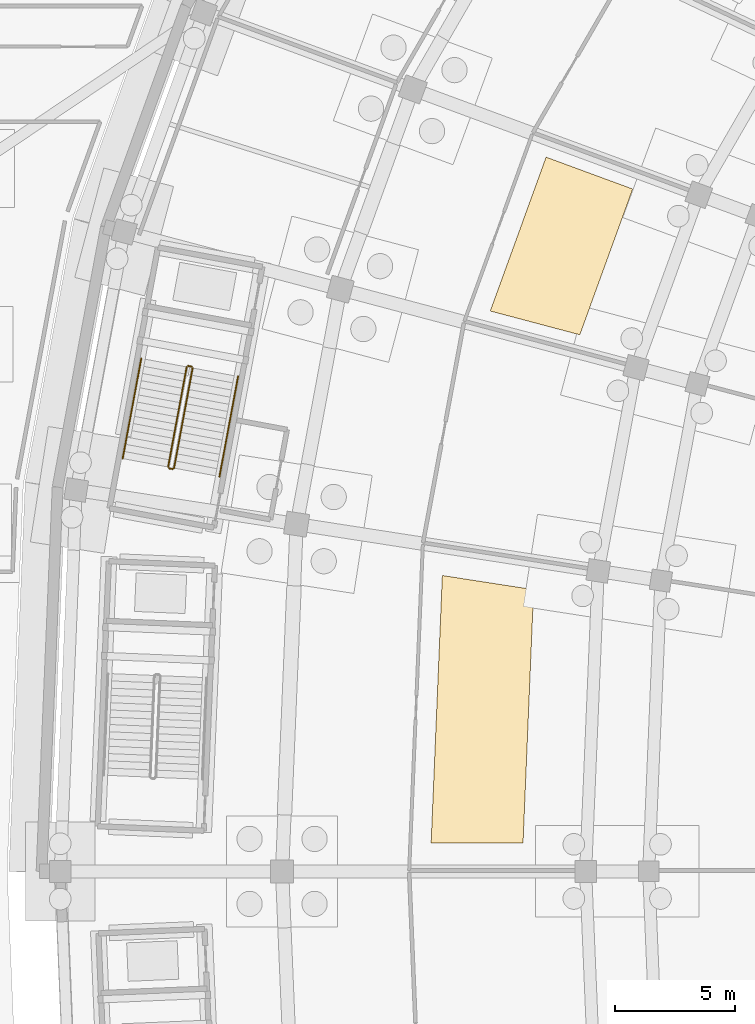
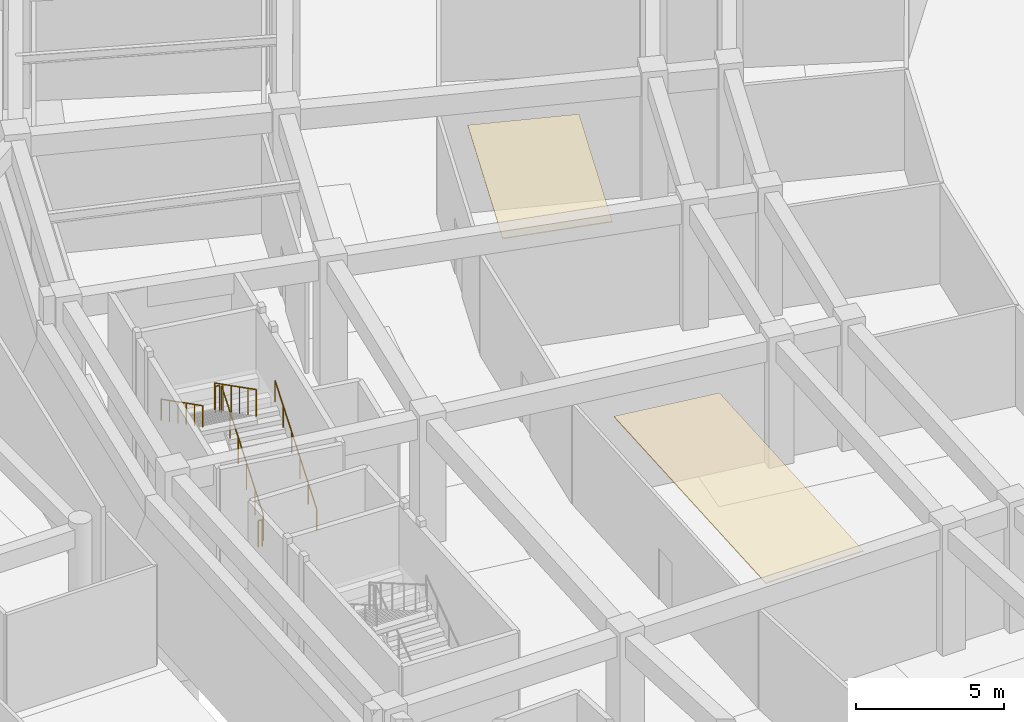
# One storey, part 75 of 88: 6 railings, 2 coverings.
"""IFC4 building model written with IfcOpenShell, lengths in metres."""

from ifc_helpers import new_model, si_unit, direction, frame, origin, origin_2d, place, context, subcontext, project, spatial, polyline, circle, outline, extrude, material, layer, layer_set, type_object, element, save


model = new_model("IFC4")

# Units and contexts
model_context = context("Model", 3, precision=1e-05, world=origin(), true_north=direction((0.0, 1.0)))
body_context = subcontext(model_context, "Body", "Model", "MODEL_VIEW")
ifc_project = project(units=[si_unit("LENGTHUNIT", "METRE"), si_unit("AREAUNIT", "SQUARE_METRE"), si_unit("VOLUMEUNIT", "CUBIC_METRE"), si_unit("PLANEANGLEUNIT", "RADIAN"), si_unit("MASSUNIT", "GRAM", prefix="KILO")], contexts=[model_context])

# Site, building, storey
site_placement = place(None, origin())
site = spatial("IfcSite", under=ifc_project, at=site_placement, CompositionType="ELEMENT")
building_placement = place(site_placement, origin())
building = spatial("IfcBuilding", under=site, at=building_placement, Name="Mphavela Belvedere Stadium", CompositionType="ELEMENT")
storey_placement = place(building_placement, origin())
storey = spatial("IfcBuildingStorey", under=building, at=storey_placement, Name="L00", CompositionType="ELEMENT", Elevation=0.0)

# Coverings
ifc_material_1 = material(Name="Perforated acoustic mineral ceiling tile")
ifc_layer = layer(ifc_material_1, 0.0400390625)
ifc_layer_set = layer_set([ifc_layer], Name="Perforated acoustic mineral ceiling tile")
covering_type = type_object("IfcCoveringType", Name="COV-CEILING-ACOUSTIC", PredefinedType="CEILING", material=ifc_layer_set)
covering_1_placement = place(storey_placement, frame((0.0, 0.0, 4.10009765625)))
element("IfcCovering", 1, at=covering_1_placement, inside=storey, type_object=covering_type, Name="Concourse acoustic ceiling L00-22", PredefinedType="CEILING", context=body_context, shape_type="SweptSolid", body=[
    extrude(outline(polyline([(35.958984375, 115.344970703125), (33.762939453125, 109.291748046875), (30.043701171875, 110.278076171875), (32.362548828125, 116.669921875), (35.958984375, 115.344970703125)])), origin(), (0.0, 0.0, 1.0), 0.039794921875),
])
covering_2_placement = place(storey_placement, frame((0.0, 0.0, 4.10009765625)))
element("IfcCovering", 2, at=covering_2_placement, inside=storey, type_object=covering_type, Name="Concourse acoustic ceiling L00-24", PredefinedType="CEILING", context=body_context, shape_type="SweptSolid", body=[
    extrude(outline(polyline([(31.845703125, 98.70361328125), (31.40478515625, 88.1865234375), (27.5869140625, 88.1865234375), (28.052490234375, 99.291748046875), (31.845703125, 98.70361328125)])), origin(), (0.0, 0.0, 1.0), 0.039794921875),
])

# Railings
ifc_material_2 = material(Name="Painted galvanised steel stair guardrail", Category="steel")
railing_type_1 = type_object("IfcRailingType", Name="RAL-GUARD-1120", PredefinedType="GUARDRAIL", material=ifc_material_2)
railing_1_placement = place(storey_placement, frame((16.907958984375, 103.75390625, 0.179931640625)))
element("IfcRailing", 3, at=railing_1_placement, inside=storey, type_object=railing_type_1, Name="L00 ST-C06 stair guard 1", PredefinedType="GUARDRAIL", context=body_context, shape_type="SweptSolid", body=[
    extrude(circle(Radius=0.02392578125, at=origin_2d()), frame((0.0, 0.0, 1.09619140625), z_axis=(0.156845044367, 0.84454260765, 0.512003335849), x_axis=(-0.983188439882, 0.182593788729, 0.0)), (0.0, 0.0, 1.0), 4.921875),
    extrude(circle(Radius=0.02099609375, at=origin_2d()), origin(), (0.0, 0.0, 1.0), 1.072021484375),
    extrude(circle(Radius=0.02099609375, at=origin_2d()), frame((0.154296875, 0.831298828125, 0.50390625)), (0.0, 0.0, 1.0), 1.072021484375),
    extrude(circle(Radius=0.02099609375, at=origin_2d()), frame((0.308837890625, 1.66259765625, 1.008056640625)), (0.0, 0.0, 1.0), 1.072021484375),
    extrude(circle(Radius=0.02099609375, at=origin_2d()), frame((0.463134765625, 2.494140625, 1.511962890625)), (0.0, 0.0, 1.0), 1.072021484375),
    extrude(circle(Radius=0.02099609375, at=origin_2d()), frame((0.61767578125, 3.325439453125, 2.01611328125)), (0.0, 0.0, 1.0), 1.072021484375),
    extrude(circle(Radius=0.02099609375, at=origin_2d()), frame((0.77197265625, 4.15673828125, 2.52001953125)), (0.0, 0.0, 1.0), 1.072021484375),
])
railing_2_placement = place(storey_placement, frame((17.639892578125, 107.968994140625, 2.699951171875)))
element("IfcRailing", 4, at=railing_2_placement, inside=storey, type_object=railing_type_1, Name="L00 ST-C06 stair guard 2", PredefinedType="GUARDRAIL", context=body_context, shape_type="SweptSolid", body=[
    extrude(circle(Radius=0.02392578125, at=origin_2d()), frame((0.0, 0.0, 1.09619140625), z_axis=(-0.983238797529, 0.182322426032, 0.0), x_axis=(-0.182322426032, -0.983238797529, 0.0)), (0.0, 0.0, 1.0), 0.14990234375),
    extrude(circle(Radius=0.02099609375, at=origin_2d()), origin(), (0.0, 0.0, 1.0), 1.072021484375),
    extrude(circle(Radius=0.02099609375, at=origin_2d()), frame((-0.1474609375, 0.02734375, 0.0)), (0.0, 0.0, 1.0), 1.072021484375),
])
railing_3_placement = place(storey_placement, frame((17.43408203125, 107.956298828125, 2.8798828125)))
element("IfcRailing", 5, at=railing_3_placement, inside=storey, type_object=railing_type_1, Name="L00 ST-C06 stair guard 3", PredefinedType="GUARDRAIL", context=body_context, shape_type="SweptSolid", body=[
    extrude(circle(Radius=0.02392578125, at=origin_2d()), frame((0.0, 0.0, 1.09619140625), z_axis=(-0.156845044367, -0.84454260765, 0.512003335849), x_axis=(0.983188439882, -0.182593788729, 0.0)), (0.0, 0.0, 1.0), 4.921875),
    extrude(circle(Radius=0.02099609375, at=origin_2d()), origin(), (0.0, 0.0, 1.0), 1.072021484375),
    extrude(circle(Radius=0.02099609375, at=origin_2d()), frame((-0.154296875, -0.831298828125, 0.50390625)), (0.0, 0.0, 1.0), 1.072021484375),
    extrude(circle(Radius=0.02099609375, at=origin_2d()), frame((-0.308837890625, -1.66259765625, 1.008056640625)), (0.0, 0.0, 1.0), 1.072021484375),
    extrude(circle(Radius=0.02099609375, at=origin_2d()), frame((-0.463134765625, -2.494140625, 1.511962890625)), (0.0, 0.0, 1.0), 1.072021484375),
    extrude(circle(Radius=0.02099609375, at=origin_2d()), frame((-0.61767578125, -3.325439453125, 2.01611328125)), (0.0, 0.0, 1.0), 1.072021484375),
    extrude(circle(Radius=0.02099609375, at=origin_2d()), frame((-0.77197265625, -4.15673828125, 2.52001953125)), (0.0, 0.0, 1.0), 1.072021484375),
])
railing_4_placement = place(storey_placement, frame((16.849609375, 103.7138671875, 0.0)))
element("IfcRailing", 6, at=railing_4_placement, inside=storey, type_object=railing_type_1, Name="L00 ST-C06 stair guard 4", PredefinedType="GUARDRAIL", context=body_context, shape_type="SweptSolid", body=[
    extrude(circle(Radius=0.02392578125, at=origin_2d()), frame((0.0, 0.0, 1.09619140625), z_axis=(-0.983238797529, 0.182322426032, 0.0), x_axis=(-0.182322426032, -0.983238797529, 0.0)), (0.0, 0.0, 1.0), 0.14990234375),
    extrude(circle(Radius=0.02099609375, at=origin_2d()), origin(), (0.0, 0.0, 1.0), 1.072021484375),
    extrude(circle(Radius=0.02099609375, at=origin_2d()), frame((-0.1474609375, 0.02734375, 0.0)), (0.0, 0.0, 1.0), 1.072021484375),
])
ifc_material_3 = material(Name="Brushed stainless steel tubular handrail", Category="steel")
railing_type_2 = type_object("IfcRailingType", Name="RAL-HANDRAIL-900", PredefinedType="HANDRAIL", material=ifc_material_3)
railing_5_placement = place(storey_placement, frame((18.795654296875, 103.4033203125, 0.179931640625)))
element("IfcRailing", 7, at=railing_5_placement, inside=storey, type_object=railing_type_2, Name="L00 ST-C06 stair handrail 1", PredefinedType="HANDRAIL", context=body_context, shape_type="SweptSolid", body=[
    extrude(circle(Radius=0.02392578125, at=origin_2d()), frame((0.0, 0.0, 0.8759765625), z_axis=(0.156838474043, 0.844556830339, 0.511981887753), x_axis=(-0.983190365008, 0.182583422456, 0.0)), (0.0, 0.0, 1.0), 4.922119140625),
    extrude(circle(Radius=0.02099609375, at=origin_2d()), origin(), (0.0, 0.0, 1.0), 0.851806640625),
    extrude(circle(Radius=0.02099609375, at=origin_2d()), frame((0.154296875, 0.831298828125, 0.50390625)), (0.0, 0.0, 1.0), 0.851806640625),
    extrude(circle(Radius=0.02099609375, at=origin_2d()), frame((0.308837890625, 1.662841796875, 1.008056640625)), (0.0, 0.0, 1.0), 0.851806640625),
    extrude(circle(Radius=0.02099609375, at=origin_2d()), frame((0.463134765625, 2.494140625, 1.511962890625)), (0.0, 0.0, 1.0), 0.851806640625),
    extrude(circle(Radius=0.02099609375, at=origin_2d()), frame((0.61767578125, 3.32568359375, 2.01611328125)), (0.0, 0.0, 1.0), 0.851806640625),
    extrude(circle(Radius=0.02099609375, at=origin_2d()), frame((0.77197265625, 4.156982421875, 2.52001953125)), (0.0, 0.0, 1.0), 0.851806640625),
])
railing_6_placement = place(storey_placement, frame((15.54638671875, 108.306884765625, 2.8798828125)))
element("IfcRailing", 8, at=railing_6_placement, inside=storey, type_object=railing_type_2, Name="L00 ST-C06 stair handrail 2", PredefinedType="HANDRAIL", context=body_context, shape_type="SweptSolid", body=[
    extrude(circle(Radius=0.02392578125, at=origin_2d()), frame((0.0, 0.0, 0.8759765625), z_axis=(-0.156838474043, -0.844556830339, 0.511981887753), x_axis=(0.983190365008, -0.182583422456, 0.0)), (0.0, 0.0, 1.0), 4.922119140625),
    extrude(circle(Radius=0.02099609375, at=origin_2d()), origin(), (0.0, 0.0, 1.0), 0.851806640625),
    extrude(circle(Radius=0.02099609375, at=origin_2d()), frame((-0.154296875, -0.831298828125, 0.50390625)), (0.0, 0.0, 1.0), 0.851806640625),
    extrude(circle(Radius=0.02099609375, at=origin_2d()), frame((-0.308837890625, -1.662841796875, 1.008056640625)), (0.0, 0.0, 1.0), 0.851806640625),
    extrude(circle(Radius=0.02099609375, at=origin_2d()), frame((-0.463134765625, -2.494140625, 1.511962890625)), (0.0, 0.0, 1.0), 0.851806640625),
    extrude(circle(Radius=0.02099609375, at=origin_2d()), frame((-0.61767578125, -3.32568359375, 2.01611328125)), (0.0, 0.0, 1.0), 0.851806640625),
    extrude(circle(Radius=0.02099609375, at=origin_2d()), frame((-0.77197265625, -4.156982421875, 2.52001953125)), (0.0, 0.0, 1.0), 0.851806640625),
])

save(model, "model.ifc")
